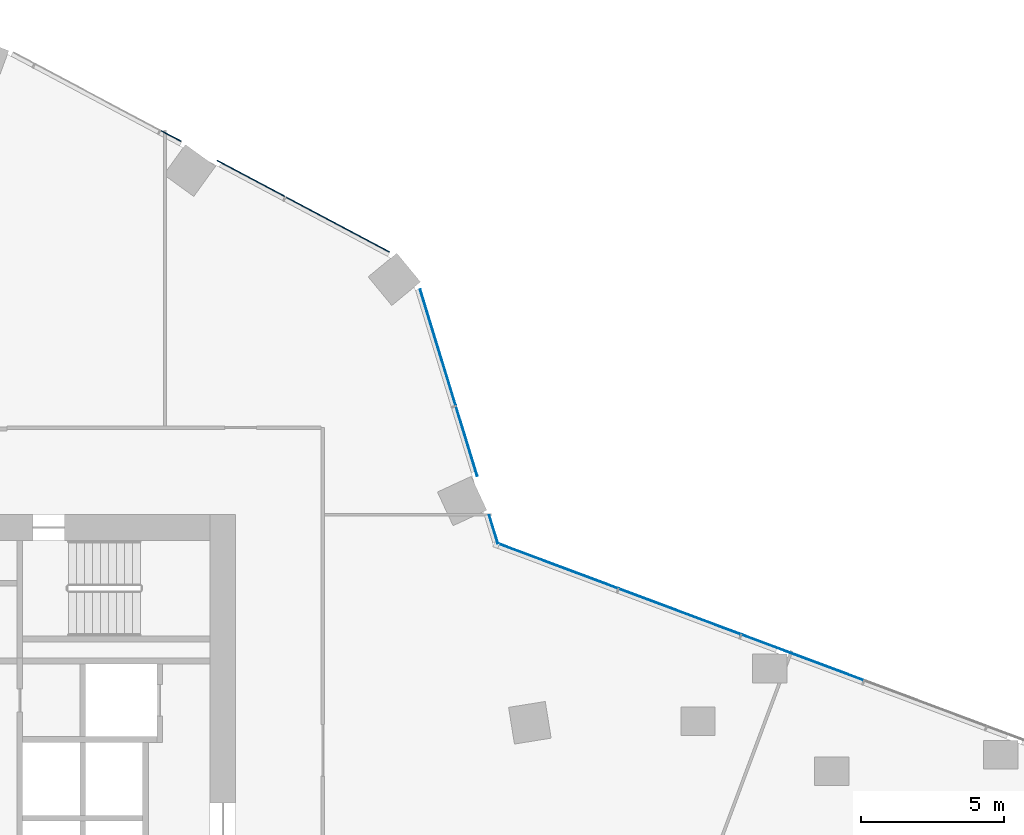
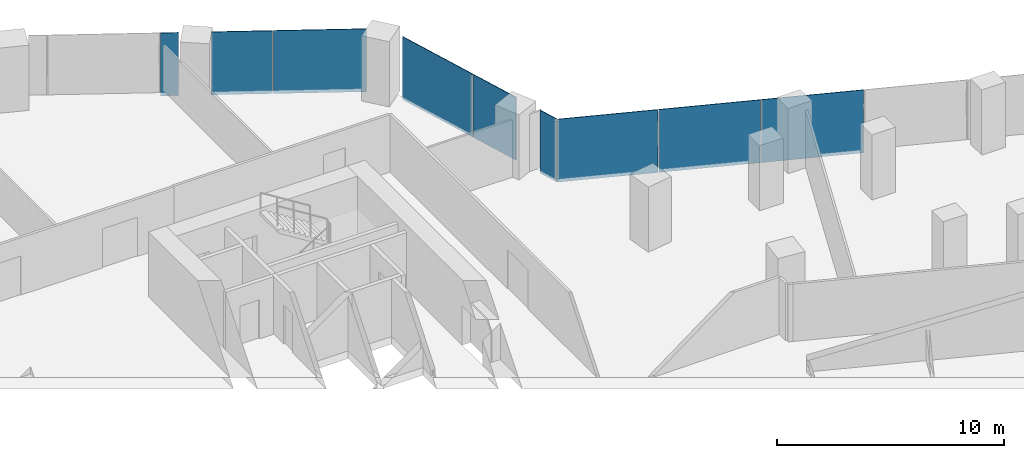
# One storey, part 22 of 31: 9 plates, 3 elements without a shape of their own.
"""IFC4 building model written with IfcOpenShell, lengths in metres."""

from ifc_helpers import new_model, si_unit, direction, frame, origin, origin_2d, place, context, subcontext, project, spatial, rectangle, extrude, material, layer, layer_set, type_object, element, aggregate, save


model = new_model("IFC4")

# Units and contexts
model_context = context("Model", 3, precision=1e-05, world=origin(), true_north=direction((0.0, 1.0)))
body_context = subcontext(model_context, "Body", "Model", "MODEL_VIEW")
ifc_project = project(units=[si_unit("LENGTHUNIT", "METRE"), si_unit("AREAUNIT", "SQUARE_METRE"), si_unit("VOLUMEUNIT", "CUBIC_METRE"), si_unit("PLANEANGLEUNIT", "RADIAN"), si_unit("MASSUNIT", "GRAM", prefix="KILO")], contexts=[model_context])

# Site, building, storey
site_placement = place(None, origin())
site = spatial("IfcSite", under=ifc_project, at=site_placement, CompositionType="ELEMENT")
building_placement = place(site_placement, origin())
building = spatial("IfcBuilding", under=site, at=building_placement, Name="Orlundy Tower", CompositionType="ELEMENT")
storey_placement = place(building_placement, frame((0.0, 0.0, 91.199951171875)))
storey = spatial("IfcBuildingStorey", under=building, at=storey_placement, Name="L22", CompositionType="ELEMENT", Elevation=91.199951171875)

# Curtain wall, plates
ifc_material_1 = material(Name="Aluminium bronze anodised", Category="aluminium")
curtain_wall_type = type_object("IfcCurtainWallType", Name="CW1 wall", PredefinedType="NOTDEFINED", material=ifc_material_1)
curtain_wall_1_placement = place(storey_placement, origin())
curtain_wall_1 = element("IfcCurtainWall", 1, at=curtain_wall_1_placement, inside=storey, type_object=curtain_wall_type, Name="CW1 run 04", PredefinedType="NOTDEFINED")
ifc_material_2 = material(Name="Tinted glass", Category="glass")
ifc_layer = layer(ifc_material_2, 0.031982421875)
ifc_layer_set = layer_set([ifc_layer], Name="CW1 glass panel 32")
plate_type = type_object("IfcPlateType", Name="CW1 glass panel 32", PredefinedType="CURTAIN_PANEL", material=ifc_layer_set)
plate_1_placement = place(storey_placement, frame((16.729248046875, 25.267822265625, -0.27978515625), z_axis=(0.0, 0.0, 1.0), x_axis=(0.882961465544, -0.469445471129, 0.0)))
plate_1 = element("IfcPlate", 2, at=plate_1_placement, type_object=plate_type, Name="CW1 panel", PredefinedType="CURTAIN_PANEL", context=body_context, shape_type="SweptSolid", body=[
    extrude(rectangle(XDim=0.796875, YDim=0.031982421875, at=origin_2d()), origin(), (0.0, 0.0, 1.0), 3.3798828125),
])
plate_2_placement = place(storey_placement, frame((19.534912109375, 23.776123046875, -0.27978515625), z_axis=(0.0, 0.0, 1.0), x_axis=(0.882961465544, -0.469445471129, 0.0)))
plate_2 = element("IfcPlate", 3, at=plate_2_placement, type_object=plate_type, Name="CW1 panel", PredefinedType="CURTAIN_PANEL", context=body_context, shape_type="SweptSolid", body=[
    extrude(rectangle(XDim=2.68896484375, YDim=0.031982421875, at=origin_2d()), origin(), (0.0, 0.0, 1.0), 3.3798828125),
])
plate_3_placement = place(storey_placement, frame((22.57373046875, 22.160400390625, -0.27978515625), z_axis=(0.0, 0.0, 1.0), x_axis=(0.882961465544, -0.469445471129, 0.0)))
plate_3 = element("IfcPlate", 4, at=plate_3_placement, type_object=plate_type, Name="CW1 panel", PredefinedType="CURTAIN_PANEL", context=body_context, shape_type="SweptSolid", body=[
    extrude(rectangle(XDim=4.09423828125, YDim=0.031982421875, at=origin_2d()), origin(), (0.0, 0.0, 1.0), 3.3798828125),
])
aggregate(curtain_wall_1, [plate_1, plate_2, plate_3])

curtain_wall_2_placement = place(storey_placement, origin())
curtain_wall_2 = element("IfcCurtainWall", 5, at=curtain_wall_2_placement, inside=storey, type_object=curtain_wall_type, Name="CW1 run 05", PredefinedType="NOTDEFINED")
plate_4_placement = place(storey_placement, frame((26.08203125, 17.859619140625, -0.27978515625), z_axis=(0.0, 0.0, 1.0), x_axis=(0.292362470314, -0.956307579156, 0.0)))
plate_4 = element("IfcPlate", 6, at=plate_4_placement, type_object=plate_type, Name="CW1 panel", PredefinedType="CURTAIN_PANEL", context=body_context, shape_type="SweptSolid", body=[
    extrude(rectangle(XDim=4.24072265625, YDim=0.031982421875, at=origin_2d()), origin(), (0.0, 0.0, 1.0), 3.3798828125),
])
plate_5_placement = place(storey_placement, frame((27.087646484375, 14.570068359375, -0.27978515625), z_axis=(0.0, 0.0, 1.0), x_axis=(0.292362470314, -0.956307579156, 0.0)))
plate_5 = element("IfcPlate", 7, at=plate_5_placement, type_object=plate_type, Name="CW1 panel", PredefinedType="CURTAIN_PANEL", context=body_context, shape_type="SweptSolid", body=[
    extrude(rectangle(XDim=2.53857421875, YDim=0.031982421875, at=origin_2d()), origin(), (0.0, 0.0, 1.0), 3.3798828125),
])
plate_6_placement = place(storey_placement, frame((28.03076171875, 11.48583984375, -0.27978515625), z_axis=(0.0, 0.0, 1.0), x_axis=(0.292362470314, -0.956307579156, 0.0)))
plate_6 = element("IfcPlate", 8, at=plate_6_placement, type_object=plate_type, Name="CW1 panel", PredefinedType="CURTAIN_PANEL", context=body_context, shape_type="SweptSolid", body=[
    extrude(rectangle(XDim=1.036376953125, YDim=0.031982421875, at=origin_2d()), origin(), (0.0, 0.0, 1.0), 3.3798828125),
])
aggregate(curtain_wall_2, [plate_4, plate_5, plate_6])

curtain_wall_3_placement = place(storey_placement, origin())
curtain_wall_3 = element("IfcCurtainWall", 9, at=curtain_wall_3_placement, inside=storey, type_object=curtain_wall_type, Name="CW1 run 06", PredefinedType="NOTDEFINED")
plate_7_placement = place(storey_placement, frame((30.28173828125, 10.205322265625, -0.27978515625), z_axis=(0.0, 0.0, 1.0), x_axis=(0.93667352363, -0.350203812273, 0.0)))
plate_7 = element("IfcPlate", 10, at=plate_7_placement, type_object=plate_type, Name="CW1 panel", PredefinedType="CURTAIN_PANEL", context=body_context, shape_type="SweptSolid", body=[
    extrude(rectangle(XDim=4.48291015625, YDim=0.031982421875, at=origin_2d()), origin(), (0.0, 0.0, 1.0), 3.3798828125),
])
plate_8_placement = place(storey_placement, frame((34.5537109375, 8.608154296875, -0.27978515625), z_axis=(0.0, 0.0, 1.0), x_axis=(0.93667352363, -0.350203812273, 0.0)))
plate_8 = element("IfcPlate", 11, at=plate_8_placement, type_object=plate_type, Name="CW1 panel", PredefinedType="CURTAIN_PANEL", context=body_context, shape_type="SweptSolid", body=[
    extrude(rectangle(XDim=4.538818359375, YDim=0.031982421875, at=origin_2d()), origin(), (0.0, 0.0, 1.0), 3.3798828125),
])
plate_9_placement = place(storey_placement, frame((38.851806640625, 7.001220703125, -0.27978515625), z_axis=(0.0, 0.0, 1.0), x_axis=(0.93667352363, -0.350203812273, 0.0)))
plate_9 = element("IfcPlate", 12, at=plate_9_placement, type_object=plate_type, Name="CW1 panel", PredefinedType="CURTAIN_PANEL", context=body_context, shape_type="SweptSolid", body=[
    extrude(rectangle(XDim=4.538818359375, YDim=0.031982421875, at=origin_2d()), origin(), (0.0, 0.0, 1.0), 3.3798828125),
])
aggregate(curtain_wall_3, [plate_7, plate_8, plate_9])

save(model, "model.ifc")
